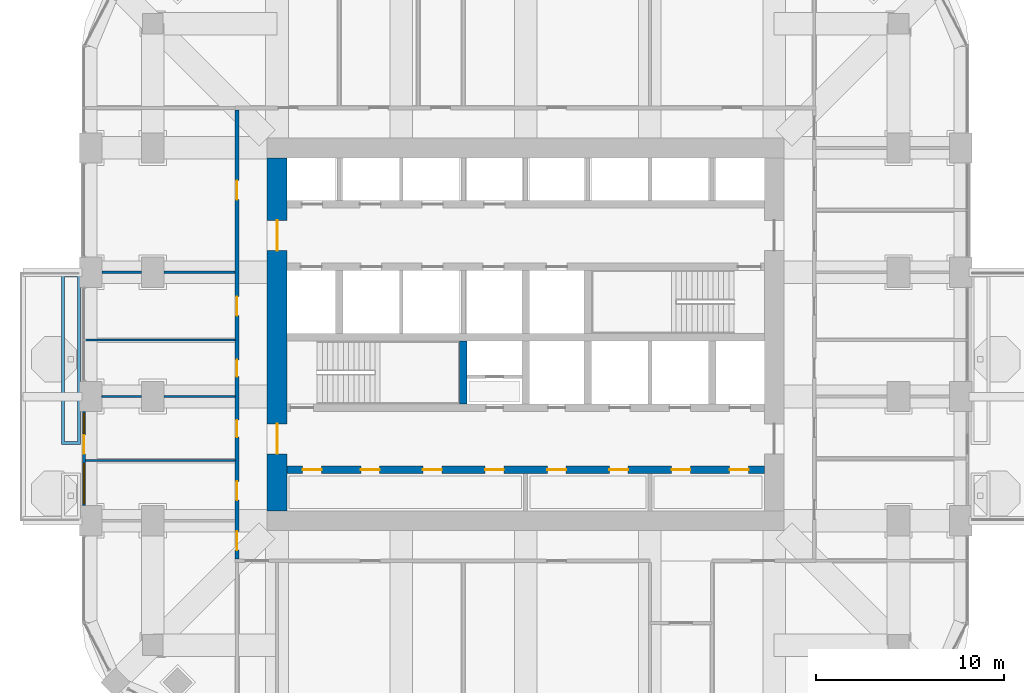
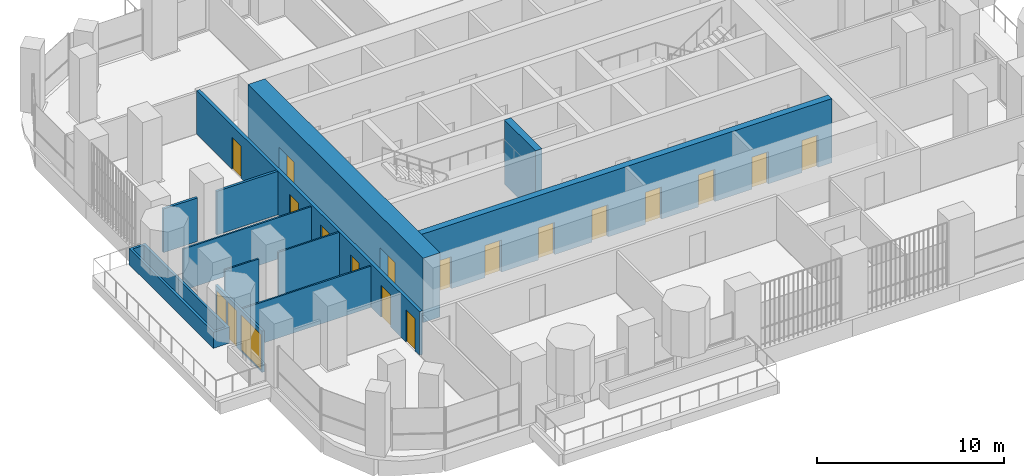
# One storey, part 12 of 20: 17 doors, 12 walls, 2 windows, 19 openings.
"""IFC4 building model written with IfcOpenShell, lengths in metres."""

from ifc_helpers import new_model, si_unit, direction, frame, frame_2d, origin, place, context, subcontext, project, spatial, polyline, rectangle, outline, extrude, material, layer, layer_set, type_object, element, fill, save


model = new_model("IFC4")

# Units and contexts
model_context = context("Model", 3, precision=1e-05, world=origin(), true_north=direction((0.0, 1.0)))
body_context = subcontext(model_context, "Body", "Model", "MODEL_VIEW")
ifc_project = project(units=[si_unit("LENGTHUNIT", "METRE"), si_unit("AREAUNIT", "SQUARE_METRE"), si_unit("VOLUMEUNIT", "CUBIC_METRE"), si_unit("PLANEANGLEUNIT", "RADIAN"), si_unit("MASSUNIT", "GRAM", prefix="KILO")], contexts=[model_context])

# Site, building, storey
site_placement = place(None, origin())
site = spatial("IfcSite", under=ifc_project, at=site_placement, CompositionType="ELEMENT")
building_placement = place(site_placement, origin())
building = spatial("IfcBuilding", under=site, at=building_placement, Name="Cobogo Forest Laboratory Tower", CompositionType="ELEMENT")
storey_placement = place(building_placement, frame((0.0, 0.0, 176.699951171875)))
storey = spatial("IfcBuildingStorey", under=building, at=storey_placement, Name="L40", CompositionType="ELEMENT", Elevation=176.699951171875)

# Wall, openings, doors
ifc_material_1 = material(Name="Concrete HA-50 (C50/60)", Category="concrete")
ifc_layer_1 = layer(ifc_material_1, 0.39990234375)
ifc_layer_set_1 = layer_set([ifc_layer_1], Name="CI400 core inner wall 400")
wall_type_1 = type_object("IfcWallType", Name="CI400 core inner wall 400", PredefinedType="SHEAR", material=ifc_layer_set_1)
wall_1_placement = place(storey_placement, frame((13.72509765625, 15.89990234375, 0.0), z_axis=(0.0, 0.0, 1.0), x_axis=(1.0, 0.0, 0.0)))
wall_1 = element("IfcWall", 1, at=wall_1_placement, inside=storey, type_object=wall_type_1, Name="Core wall CI-15.9 L40", PredefinedType="SHEAR", context=body_context, shape_type="SweptSolid", body=[
    extrude(rectangle(XDim=25.349853515625, YDim=0.39990234375, at=frame_2d((12.6748046875, 0.0))), origin(), (0.0, 0.0, 1.0), 4.199951171875),
])
opening_1_placement = place(wall_1_placement, frame((0.83740234375, 0.0, 0.0)))
opening_1 = element("IfcOpeningElement", 2, at=opening_1_placement, cuts=wall_1, Name="Opening L40-D10", PredefinedType="OPENING", context=body_context, shape_type="SweptSolid", body=[
    extrude(rectangle(XDim=1.0, YDim=2.10009765625, at=frame_2d((0.5, 1.050048828125))), frame((0.0, 0.2099609375, 0.0), z_axis=(0.0, -1.0, 0.0), x_axis=(1.0, 0.0, 0.0)), (0.0, 0.0, 1.0), 0.419921875),
])
opening_2_placement = place(wall_1_placement, frame((3.925048828125, 0.0, 0.0)))
opening_2 = element("IfcOpeningElement", 3, at=opening_2_placement, cuts=wall_1, Name="Opening L40-D11", PredefinedType="OPENING", context=body_context, shape_type="SweptSolid", body=[
    extrude(rectangle(XDim=1.0, YDim=2.10009765625, at=frame_2d((0.5, 1.050048828125))), frame((0.0, 0.2099609375, 0.0), z_axis=(0.0, -1.0, 0.0), x_axis=(1.0, 0.0, 0.0)), (0.0, 0.0, 1.0), 0.419921875),
])
opening_3_placement = place(wall_1_placement, frame((7.22509765625, 0.0, 0.0)))
opening_3 = element("IfcOpeningElement", 4, at=opening_3_placement, cuts=wall_1, Name="Opening L40-D12", PredefinedType="OPENING", context=body_context, shape_type="SweptSolid", body=[
    extrude(rectangle(XDim=1.0, YDim=2.10009765625, at=frame_2d((0.5, 1.050048828125))), frame((0.0, 0.2099609375, 0.0), z_axis=(0.0, -1.0, 0.0), x_axis=(1.0, 0.0, 0.0)), (0.0, 0.0, 1.0), 0.419921875),
])
opening_4_placement = place(wall_1_placement, frame((10.52490234375, 0.0, 0.0)))
opening_4 = element("IfcOpeningElement", 5, at=opening_4_placement, cuts=wall_1, Name="Opening L40-D13", PredefinedType="OPENING", context=body_context, shape_type="SweptSolid", body=[
    extrude(rectangle(XDim=1.0, YDim=2.10009765625, at=frame_2d((0.5, 1.050048828125))), frame((0.0, 0.2099609375, 0.0), z_axis=(0.0, -1.0, 0.0), x_axis=(1.0, 0.0, 0.0)), (0.0, 0.0, 1.0), 0.419921875),
])
opening_5_placement = place(wall_1_placement, frame((13.824951171875, 0.0, 0.0)))
opening_5 = element("IfcOpeningElement", 6, at=opening_5_placement, cuts=wall_1, Name="Opening L40-D14", PredefinedType="OPENING", context=body_context, shape_type="SweptSolid", body=[
    extrude(rectangle(XDim=1.0, YDim=2.10009765625, at=frame_2d((0.5, 1.050048828125))), frame((0.0, 0.2099609375, 0.0), z_axis=(0.0, -1.0, 0.0), x_axis=(1.0, 0.0, 0.0)), (0.0, 0.0, 1.0), 0.419921875),
])
opening_6_placement = place(wall_1_placement, frame((17.125, 0.0, 0.0)))
opening_6 = element("IfcOpeningElement", 7, at=opening_6_placement, cuts=wall_1, Name="Opening L40-D15", PredefinedType="OPENING", context=body_context, shape_type="SweptSolid", body=[
    extrude(rectangle(XDim=1.0, YDim=2.10009765625, at=frame_2d((0.5, 1.050048828125))), frame((0.0, 0.2099609375, 0.0), z_axis=(0.0, -1.0, 0.0), x_axis=(1.0, 0.0, 0.0)), (0.0, 0.0, 1.0), 0.419921875),
])
opening_7_placement = place(wall_1_placement, frame((20.425048828125, 0.0, 0.0)))
opening_7 = element("IfcOpeningElement", 8, at=opening_7_placement, cuts=wall_1, Name="Opening L40-D16", PredefinedType="OPENING", context=body_context, shape_type="SweptSolid", body=[
    extrude(rectangle(XDim=1.0, YDim=2.10009765625, at=frame_2d((0.5, 1.050048828125))), frame((0.0, 0.2099609375, 0.0), z_axis=(0.0, -1.0, 0.0), x_axis=(1.0, 0.0, 0.0)), (0.0, 0.0, 1.0), 0.419921875),
])
opening_8_placement = place(wall_1_placement, frame((23.512451171875, 0.0, 0.0)))
opening_8 = element("IfcOpeningElement", 9, at=opening_8_placement, cuts=wall_1, Name="Opening L40-D17", PredefinedType="OPENING", context=body_context, shape_type="SweptSolid", body=[
    extrude(rectangle(XDim=1.0, YDim=2.10009765625, at=frame_2d((0.5, 1.050048828125))), frame((0.0, 0.2099609375, 0.0), z_axis=(0.0, -1.0, 0.0), x_axis=(1.0, 0.0, 0.0)), (0.0, 0.0, 1.0), 0.419921875),
])
ifc_material_2 = material(Name="Steel fire door", Category="steel")
door_type_1 = type_object("IfcDoorType", Name="FD1 fire door 1000 EI2 60", OperationType="SINGLE_SWING_LEFT", PredefinedType="DOOR", material=ifc_material_2)
door_1_placement = place(opening_1_placement, origin())
door_1 = element("IfcDoor", 10, at=door_1_placement, inside=storey, type_object=door_type_1, Name="Door L40-SH-LA1", OperationType="SINGLE_SWING_LEFT", OverallHeight=2.10009765625, OverallWidth=1.0, PredefinedType="DOOR", context=body_context, shape_type="SweptSolid", body=[
    extrude(rectangle(XDim=1.0, YDim=2.10009765625, at=frame_2d((0.5, 1.050048828125))), frame((0.0, 0.02490234375, 0.0), z_axis=(0.0, -1.0, 0.0), x_axis=(1.0, 0.0, 0.0)), (0.0, 0.0, 1.0), 0.050048828125),
])
fill(opening_1, door_1)
door_2_placement = place(opening_2_placement, origin())
door_2 = element("IfcDoor", 11, at=door_2_placement, inside=storey, type_object=door_type_1, Name="Door L40-SH-LA2", OperationType="SINGLE_SWING_LEFT", OverallHeight=2.10009765625, OverallWidth=1.0, PredefinedType="DOOR", context=body_context, shape_type="SweptSolid", body=[
    extrude(rectangle(XDim=1.0, YDim=2.10009765625, at=frame_2d((0.5, 1.050048828125))), frame((0.0, 0.02490234375, 0.0), z_axis=(0.0, -1.0, 0.0), x_axis=(1.0, 0.0, 0.0)), (0.0, 0.0, 1.0), 0.050048828125),
])
fill(opening_2, door_2)
door_3_placement = place(opening_3_placement, origin())
door_3 = element("IfcDoor", 12, at=door_3_placement, inside=storey, type_object=door_type_1, Name="Door L40-SH-LA3", OperationType="SINGLE_SWING_LEFT", OverallHeight=2.10009765625, OverallWidth=1.0, PredefinedType="DOOR", context=body_context, shape_type="SweptSolid", body=[
    extrude(rectangle(XDim=1.0, YDim=2.10009765625, at=frame_2d((0.5, 1.050048828125))), frame((0.0, 0.02490234375, 0.0), z_axis=(0.0, -1.0, 0.0), x_axis=(1.0, 0.0, 0.0)), (0.0, 0.0, 1.0), 0.050048828125),
])
fill(opening_3, door_3)
door_4_placement = place(opening_4_placement, origin())
door_4 = element("IfcDoor", 13, at=door_4_placement, inside=storey, type_object=door_type_1, Name="Door L40-SH-LA4", OperationType="SINGLE_SWING_LEFT", OverallHeight=2.10009765625, OverallWidth=1.0, PredefinedType="DOOR", context=body_context, shape_type="SweptSolid", body=[
    extrude(rectangle(XDim=1.0, YDim=2.10009765625, at=frame_2d((0.5, 1.050048828125))), frame((0.0, 0.02490234375, 0.0), z_axis=(0.0, -1.0, 0.0), x_axis=(1.0, 0.0, 0.0)), (0.0, 0.0, 1.0), 0.050048828125),
])
fill(opening_4, door_4)
door_5_placement = place(opening_5_placement, origin())
door_5 = element("IfcDoor", 14, at=door_5_placement, inside=storey, type_object=door_type_1, Name="Door L40-SH-LB1", OperationType="SINGLE_SWING_RIGHT", OverallHeight=2.10009765625, OverallWidth=1.0, PredefinedType="DOOR", context=body_context, shape_type="SweptSolid", body=[
    extrude(rectangle(XDim=1.0, YDim=2.10009765625, at=frame_2d((0.5, 1.050048828125))), frame((0.0, 0.02490234375, 0.0), z_axis=(0.0, -1.0, 0.0), x_axis=(1.0, 0.0, 0.0)), (0.0, 0.0, 1.0), 0.050048828125),
])
fill(opening_5, door_5)
door_6_placement = place(opening_6_placement, origin())
door_6 = element("IfcDoor", 15, at=door_6_placement, inside=storey, type_object=door_type_1, Name="Door L40-SH-LB2", OperationType="SINGLE_SWING_RIGHT", OverallHeight=2.10009765625, OverallWidth=1.0, PredefinedType="DOOR", context=body_context, shape_type="SweptSolid", body=[
    extrude(rectangle(XDim=1.0, YDim=2.10009765625, at=frame_2d((0.5, 1.050048828125))), frame((0.0, 0.02490234375, 0.0), z_axis=(0.0, -1.0, 0.0), x_axis=(1.0, 0.0, 0.0)), (0.0, 0.0, 1.0), 0.050048828125),
])
fill(opening_6, door_6)
door_7_placement = place(opening_7_placement, origin())
door_7 = element("IfcDoor", 16, at=door_7_placement, inside=storey, type_object=door_type_1, Name="Door L40-SH-LB3", OperationType="SINGLE_SWING_RIGHT", OverallHeight=2.10009765625, OverallWidth=1.0, PredefinedType="DOOR", context=body_context, shape_type="SweptSolid", body=[
    extrude(rectangle(XDim=1.0, YDim=2.10009765625, at=frame_2d((0.5, 1.050048828125))), frame((0.0, 0.02490234375, 0.0), z_axis=(0.0, -1.0, 0.0), x_axis=(1.0, 0.0, 0.0)), (0.0, 0.0, 1.0), 0.050048828125),
])
fill(opening_7, door_7)
door_8_placement = place(opening_8_placement, origin())
door_8 = element("IfcDoor", 17, at=door_8_placement, inside=storey, type_object=door_type_1, Name="Door L40-SH-LB4", OperationType="SINGLE_SWING_RIGHT", OverallHeight=2.10009765625, OverallWidth=1.0, PredefinedType="DOOR", context=body_context, shape_type="SweptSolid", body=[
    extrude(rectangle(XDim=1.0, YDim=2.10009765625, at=frame_2d((0.5, 1.050048828125))), frame((0.0, 0.02490234375, 0.0), z_axis=(0.0, -1.0, 0.0), x_axis=(1.0, 0.0, 0.0)), (0.0, 0.0, 1.0), 0.050048828125),
])
fill(opening_8, door_8)

# Wall
wall_2_placement = place(storey_placement, frame((23.10009765625, 19.39990234375, 0.0), z_axis=(0.0, 0.0, 1.0), x_axis=(0.0, 1.0, 0.0)))
element("IfcWall", 18, at=wall_2_placement, inside=storey, type_object=wall_type_1, Name="Core wall CX-23.1 L40", PredefinedType="SHEAR", context=body_context, shape_type="SweptSolid", body=[
    extrude(rectangle(XDim=3.35009765625, YDim=0.39990234375, at=frame_2d((1.675048828125, 0.0))), origin(), (0.0, 0.0, 1.0), 4.199951171875),
])

# Wall, openings, doors
ifc_layer_2 = layer(ifc_material_1, 1.050048828125)
ifc_layer_set_2 = layer_set([ifc_layer_2], Name="CW1050 core outer wall 1050")
wall_type_2 = type_object("IfcWallType", Name="CW1050 core outer wall 1050", PredefinedType="SHEAR", material=ifc_layer_set_2)
wall_3_placement = place(storey_placement, frame((13.199951171875, 32.47509765625, 0.0), z_axis=(0.0, 0.0, 1.0), x_axis=(0.0, -1.0, 0.0)))
wall_3 = element("IfcWall", 19, at=wall_3_placement, inside=storey, type_object=wall_type_2, Name="Core wall CO-W L40", PredefinedType="SHEAR", context=body_context, shape_type="SweptSolid", body=[
    extrude(rectangle(XDim=18.75, YDim=1.050048828125, at=frame_2d((9.375, 0.0))), origin(), (0.0, 0.0, 1.0), 4.199951171875),
])
opening_9_placement = place(wall_3_placement, frame((14.125, 0.0, 0.0)))
opening_9 = element("IfcOpeningElement", 20, at=opening_9_placement, cuts=wall_3, Name="Opening L40-D20", PredefinedType="OPENING", context=body_context, shape_type="SweptSolid", body=[
    extrude(rectangle(XDim=1.60009765625, YDim=2.10009765625, at=frame_2d((0.800048828125, 1.050048828125))), frame((0.0, 0.534912109375, 0.0), z_axis=(0.0, -1.0, 0.0), x_axis=(1.0, 0.0, 0.0)), (0.0, 0.0, 1.0), 1.070068359375),
])
opening_10_placement = place(wall_3_placement, frame((3.324951171875, 0.0, 0.0)))
opening_10 = element("IfcOpeningElement", 21, at=opening_10_placement, cuts=wall_3, Name="Opening L40-D34", PredefinedType="OPENING", context=body_context, shape_type="SweptSolid", body=[
    extrude(rectangle(XDim=1.60009765625, YDim=2.10009765625, at=frame_2d((0.800048828125, 1.050048828125))), frame((0.0, 0.534912109375, 0.0), z_axis=(0.0, -1.0, 0.0), x_axis=(1.0, 0.0, 0.0)), (0.0, 0.0, 1.0), 1.070068359375),
])
door_type_2 = type_object("IfcDoorType", Name="DS2 protected lobby door pair 1600 EI2 60", OperationType="DOUBLE_DOOR_DOUBLE_SWING", PredefinedType="DOOR", material=ifc_material_2)
door_9_placement = place(opening_9_placement, origin())
door_9 = element("IfcDoor", 22, at=door_9_placement, inside=storey, type_object=door_type_2, Name="Door L40-CO-W-S", OperationType="DOUBLE_DOOR_DOUBLE_SWING", OverallHeight=2.10009765625, OverallWidth=1.60009765625, PredefinedType="DOOR", context=body_context, shape_type="SweptSolid", body=[
    extrude(rectangle(XDim=1.60009765625, YDim=2.10009765625, at=frame_2d((0.800048828125, 1.050048828125))), frame((0.0, 0.02490234375, 0.0), z_axis=(0.0, -1.0, 0.0), x_axis=(1.0, 0.0, 0.0)), (0.0, 0.0, 1.0), 0.050048828125),
])
fill(opening_9, door_9)
door_10_placement = place(opening_10_placement, origin())
door_10 = element("IfcDoor", 23, at=door_10_placement, inside=storey, type_object=door_type_2, Name="Door L40-CO-W-N", OperationType="DOUBLE_DOOR_DOUBLE_SWING", OverallHeight=2.10009765625, OverallWidth=1.60009765625, PredefinedType="DOOR", context=body_context, shape_type="SweptSolid", body=[
    extrude(rectangle(XDim=1.60009765625, YDim=2.10009765625, at=frame_2d((0.800048828125, 1.050048828125))), frame((0.0, 0.02490234375, 0.0), z_axis=(0.0, -1.0, 0.0), x_axis=(1.0, 0.0, 0.0)), (0.0, 0.0, 1.0), 0.050048828125),
])
fill(opening_10, door_10)

# Wall, openings, door, windows
ifc_material_3 = material(Name="Aluminium framed glazed screen", Category="aluminium")
ifc_layer_3 = layer(ifc_material_3, 0.14990234375)
ifc_layer_set_3 = layer_set([ifc_layer_3], Name="GS1 glazed door screen 150")
wall_type_3 = type_object("IfcWallType", Name="GS1 glazed door screen 150", PredefinedType="SOLIDWALL", material=ifc_layer_set_3)
wall_4_placement = place(storey_placement, frame((2.949951171875, 19.0, 0.0), z_axis=(0.0, 0.0, 1.0), x_axis=(0.0, -1.0, 0.0)))
wall_4 = element("IfcWall", 24, at=wall_4_placement, inside=storey, type_object=wall_type_3, Name="Door screen BAL-W1 L40", PredefinedType="SOLIDWALL", context=body_context, shape_type="SweptSolid", body=[
    extrude(rectangle(XDim=5.0, YDim=0.14990234375, at=frame_2d((2.5, 0.0))), origin(), (0.0, 0.0, 1.0), 2.699951171875),
])
opening_11_placement = place(wall_4_placement, frame((1.25, 0.0, 0.0)))
opening_11 = element("IfcOpeningElement", 25, at=opening_11_placement, cuts=wall_4, Name="Opening L40-D18", PredefinedType="OPENING", context=body_context, shape_type="SweptSolid", body=[
    extrude(rectangle(XDim=1.0, YDim=2.39990234375, at=frame_2d((0.5, 1.199951171875))), frame((0.0, 0.0849609375, 0.0), z_axis=(0.0, -1.0, 0.0), x_axis=(1.0, 0.0, 0.0)), (0.0, 0.0, 1.0), 0.169921875),
])
opening_12_placement = place(wall_4_placement, frame((0.10009765625, 0.0, 0.10009765625)))
opening_12 = element("IfcOpeningElement", 26, at=opening_12_placement, cuts=wall_4, Name="Opening L40-W05", PredefinedType="OPENING", context=body_context, shape_type="SweptSolid", body=[
    extrude(rectangle(XDim=1.050048828125, YDim=2.300048828125, at=frame_2d((0.52490234375, 1.14990234375))), frame((0.0, 0.0849609375, 0.0), z_axis=(0.0, -1.0, 0.0), x_axis=(1.0, 0.0, 0.0)), (0.0, 0.0, 1.0), 0.169921875),
])
opening_13_placement = place(wall_4_placement, frame((2.75, 0.0, 0.10009765625)))
opening_13 = element("IfcOpeningElement", 27, at=opening_13_placement, cuts=wall_4, Name="Opening L40-W03", PredefinedType="OPENING", context=body_context, shape_type="SweptSolid", body=[
    extrude(rectangle(XDim=2.14990234375, YDim=2.300048828125, at=frame_2d((1.074951171875, 1.14990234375))), frame((0.0, 0.0849609375, 0.0), z_axis=(0.0, -1.0, 0.0), x_axis=(1.0, 0.0, 0.0)), (0.0, 0.0, 1.0), 0.169921875),
])
ifc_material_4 = material(Name="Aluminium glazed door", Category="aluminium")
door_type_3 = type_object("IfcDoorType", Name="DB1 balcony door 1000 glazed", OperationType="SINGLE_SWING_LEFT", PredefinedType="DOOR", material=ifc_material_4)
door_11_placement = place(opening_11_placement, origin())
door_11 = element("IfcDoor", 28, at=door_11_placement, inside=storey, type_object=door_type_3, Name="Door L40-BAL-W1", OperationType="SINGLE_SWING_LEFT", OverallHeight=2.39990234375, OverallWidth=1.0, PredefinedType="DOOR", context=body_context, shape_type="SweptSolid", body=[
    extrude(rectangle(XDim=1.0, YDim=2.39990234375, at=frame_2d((0.5, 1.199951171875))), frame((0.0, 0.02490234375, 0.0), z_axis=(0.0, -1.0, 0.0), x_axis=(1.0, 0.0, 0.0)), (0.0, 0.0, 1.0), 0.050048828125),
])
fill(opening_11, door_11)
ifc_material_5 = material(Name="Aluminium framed glazing", Category="aluminium")
window_type_1 = type_object("IfcWindowType", Name="WG13 fixed glazed light 2150x2300", PartitioningType="SINGLE_PANEL", PredefinedType="WINDOW", material=ifc_material_5)
window_1_placement = place(opening_13_placement, origin())
window_1 = element("IfcWindow", 29, at=window_1_placement, inside=storey, type_object=window_type_1, Name="Window L40-BAL-W1-2", OverallHeight=2.300048828125, OverallWidth=2.14990234375, PartitioningType="SINGLE_PANEL", PredefinedType="WINDOW", context=body_context, shape_type="SweptSolid", body=[
    extrude(rectangle(XDim=2.14990234375, YDim=2.300048828125, at=frame_2d((1.074951171875, 1.14990234375))), frame((0.0, 0.030029296875, 0.0), z_axis=(0.0, -1.0, 0.0), x_axis=(1.0, 0.0, 0.0)), (0.0, 0.0, 1.0), 0.06005859375),
])
fill(opening_13, window_1)
window_type_2 = type_object("IfcWindowType", Name="WG14 fixed glazed light 1050x2300", PartitioningType="SINGLE_PANEL", PredefinedType="WINDOW", material=ifc_material_5)
window_2_placement = place(opening_12_placement, origin())
window_2 = element("IfcWindow", 30, at=window_2_placement, inside=storey, type_object=window_type_2, Name="Window L40-BAL-W1-1", OverallHeight=2.300048828125, OverallWidth=1.050048828125, PartitioningType="SINGLE_PANEL", PredefinedType="WINDOW", context=body_context, shape_type="SweptSolid", body=[
    extrude(rectangle(XDim=1.050048828125, YDim=2.300048828125, at=frame_2d((0.52490234375, 1.14990234375))), frame((0.0, 0.030029296875, 0.0), z_axis=(0.0, -1.0, 0.0), x_axis=(1.0, 0.0, 0.0)), (0.0, 0.0, 1.0), 0.06005859375),
])
fill(opening_12, window_2)

# Walls
ifc_material_6 = material(Name="Gypsum board on steel studs", Category="steel")
ifc_layer_4 = layer(ifc_material_6, 0.14990234375)
ifc_layer_set_4 = layer_set([ifc_layer_4], Name="PT1 laboratory partition 150")
wall_type_4 = type_object("IfcWallType", Name="PT1 laboratory partition 150", PredefinedType="PARTITIONING", material=ifc_layer_set_4)
wall_5_placement = place(storey_placement, frame((3.89990234375, 26.39990234375, 0.0), z_axis=(0.0, 0.0, 1.0), x_axis=(1.0, 0.0, 0.0)))
element("IfcWall", 31, at=wall_5_placement, inside=storey, type_object=wall_type_4, Name="Partition CUT-W26.4-1 L40", PredefinedType="PARTITIONING", context=body_context, shape_type="SweptSolid", body=[
    extrude(rectangle(XDim=2.10009765625, YDim=0.14990234375, at=frame_2d((1.050048828125, 0.0))), origin(), (0.0, 0.0, 1.0), 2.85009765625),
])
wall_6_placement = place(storey_placement, frame((7.199951171875, 26.39990234375, 0.0), z_axis=(0.0, 0.0, 1.0), x_axis=(1.0, 0.0, 0.0)))
element("IfcWall", 32, at=wall_6_placement, inside=storey, type_object=wall_type_4, Name="Partition CUT-W26.4-2 L40", PredefinedType="PARTITIONING", context=body_context, shape_type="SweptSolid", body=[
    extrude(rectangle(XDim=3.775146484375, YDim=0.14990234375, at=frame_2d((1.8876953125, 0.0))), origin(), (0.0, 0.0, 1.0), 2.85009765625),
])

# Wall, openings, doors
ifc_layer_5 = layer(ifc_material_6, 0.199951171875)
ifc_layer_set_5 = layer_set([ifc_layer_5], Name="PT2 fire-rated corridor partition 200")
wall_type_5 = type_object("IfcWallType", Name="PT2 fire-rated corridor partition 200", PredefinedType="PARTITIONING", material=ifc_layer_set_5)
wall_7_placement = place(storey_placement, frame((11.074951171875, 11.175048828125, 0.0), z_axis=(0.0, 0.0, 1.0), x_axis=(0.0, 1.0, 0.0)))
wall_7 = element("IfcWall", 33, at=wall_7_placement, inside=storey, type_object=wall_type_5, Name="Partition CORR-W L40", PredefinedType="PARTITIONING", context=body_context, shape_type="SweptSolid", body=[
    extrude(rectangle(XDim=23.849853515625, YDim=0.199951171875, at=frame_2d((11.9248046875, 0.0))), origin(), (0.0, 0.0, 1.0), 2.85009765625),
])
opening_14_placement = place(wall_7_placement, frame((0.46240234375, 0.0, 0.0)))
opening_14 = element("IfcOpeningElement", 34, at=opening_14_placement, cuts=wall_7, Name="Opening L40-D07", PredefinedType="OPENING", context=body_context, shape_type="SweptSolid", body=[
    extrude(rectangle(XDim=1.0, YDim=2.10009765625, at=frame_2d((0.5, 1.050048828125))), frame((0.0, 0.10986328125, 0.0), z_axis=(0.0, -1.0, 0.0), x_axis=(1.0, 0.0, 0.0)), (0.0, 0.0, 1.0), 0.219970703125),
])
opening_15_placement = place(wall_7_placement, frame((3.125, 0.0, 0.0)))
opening_15 = element("IfcOpeningElement", 35, at=opening_15_placement, cuts=wall_7, Name="Opening L40-D09", PredefinedType="OPENING", context=body_context, shape_type="SweptSolid", body=[
    extrude(rectangle(XDim=1.0, YDim=2.10009765625, at=frame_2d((0.5, 1.050048828125))), frame((0.0, 0.10986328125, 0.0), z_axis=(0.0, -1.0, 0.0), x_axis=(1.0, 0.0, 0.0)), (0.0, 0.0, 1.0), 0.219970703125),
])
opening_16_placement = place(wall_7_placement, frame((6.47509765625, 0.0, 0.0)))
opening_16 = element("IfcOpeningElement", 36, at=opening_16_placement, cuts=wall_7, Name="Opening L40-D22", PredefinedType="OPENING", context=body_context, shape_type="SweptSolid", body=[
    extrude(rectangle(XDim=0.89990234375, YDim=2.10009765625, at=frame_2d((0.449951171875, 1.050048828125))), frame((0.0, 0.10986328125, 0.0), z_axis=(0.0, -1.0, 0.0), x_axis=(1.0, 0.0, 0.0)), (0.0, 0.0, 1.0), 0.219970703125),
])
opening_17_placement = place(wall_7_placement, frame((9.675048828125, 0.0, 0.0)))
opening_17 = element("IfcOpeningElement", 37, at=opening_17_placement, cuts=wall_7, Name="Opening L40-D28", PredefinedType="OPENING", context=body_context, shape_type="SweptSolid", body=[
    extrude(rectangle(XDim=0.89990234375, YDim=2.10009765625, at=frame_2d((0.449951171875, 1.050048828125))), frame((0.0, 0.10986328125, 0.0), z_axis=(0.0, -1.0, 0.0), x_axis=(1.0, 0.0, 0.0)), (0.0, 0.0, 1.0), 0.219970703125),
])
opening_18_placement = place(wall_7_placement, frame((12.925048828125, 0.0, 0.0)))
opening_18 = element("IfcOpeningElement", 38, at=opening_18_placement, cuts=wall_7, Name="Opening L40-D30", PredefinedType="OPENING", context=body_context, shape_type="SweptSolid", body=[
    extrude(rectangle(XDim=1.0, YDim=2.10009765625, at=frame_2d((0.5, 1.050048828125))), frame((0.0, 0.10986328125, 0.0), z_axis=(0.0, -1.0, 0.0), x_axis=(1.0, 0.0, 0.0)), (0.0, 0.0, 1.0), 0.219970703125),
])
opening_19_placement = place(wall_7_placement, frame((19.08740234375, 0.0, 0.0)))
opening_19 = element("IfcOpeningElement", 39, at=opening_19_placement, cuts=wall_7, Name="Opening L40-D36", PredefinedType="OPENING", context=body_context, shape_type="SweptSolid", body=[
    extrude(rectangle(XDim=1.0, YDim=2.10009765625, at=frame_2d((0.5, 1.050048828125))), frame((0.0, 0.10986328125, 0.0), z_axis=(0.0, -1.0, 0.0), x_axis=(1.0, 0.0, 0.0)), (0.0, 0.0, 1.0), 0.219970703125),
])
ifc_material_7 = material(Name="Timber fire door", Category="wood")
door_type_4 = type_object("IfcDoorType", Name="FD2 fire door 1000 EI2 30", OperationType="SINGLE_SWING_LEFT", PredefinedType="DOOR", material=ifc_material_7)
door_12_placement = place(opening_14_placement, origin())
door_12 = element("IfcDoor", 40, at=door_12_placement, inside=storey, type_object=door_type_4, Name="Door L40-W1", OperationType="SINGLE_SWING_LEFT", OverallHeight=2.10009765625, OverallWidth=1.0, PredefinedType="DOOR", context=body_context, shape_type="SweptSolid", body=[
    extrude(rectangle(XDim=1.0, YDim=2.10009765625, at=frame_2d((0.5, 1.050048828125))), frame((0.0, 0.02490234375, 0.0), z_axis=(0.0, -1.0, 0.0), x_axis=(1.0, 0.0, 0.0)), (0.0, 0.0, 1.0), 0.050048828125),
])
fill(opening_14, door_12)
door_13_placement = place(opening_18_placement, origin())
door_13 = element("IfcDoor", 41, at=door_13_placement, inside=storey, type_object=door_type_4, Name="Door L40-SHW", OperationType="SINGLE_SWING_RIGHT", OverallHeight=2.10009765625, OverallWidth=1.0, PredefinedType="DOOR", context=body_context, shape_type="SweptSolid", body=[
    extrude(rectangle(XDim=1.0, YDim=2.10009765625, at=frame_2d((0.5, 1.050048828125))), frame((0.0, 0.02490234375, 0.0), z_axis=(0.0, -1.0, 0.0), x_axis=(1.0, 0.0, 0.0)), (0.0, 0.0, 1.0), 0.050048828125),
])
fill(opening_18, door_13)
door_14_placement = place(opening_19_placement, origin())
door_14 = element("IfcDoor", 42, at=door_14_placement, inside=storey, type_object=door_type_4, Name="Door L40-W3", OperationType="SINGLE_SWING_RIGHT", OverallHeight=2.10009765625, OverallWidth=1.0, PredefinedType="DOOR", context=body_context, shape_type="SweptSolid", body=[
    extrude(rectangle(XDim=1.0, YDim=2.10009765625, at=frame_2d((0.5, 1.050048828125))), frame((0.0, 0.02490234375, 0.0), z_axis=(0.0, -1.0, 0.0), x_axis=(1.0, 0.0, 0.0)), (0.0, 0.0, 1.0), 0.050048828125),
])
fill(opening_19, door_14)
door_type_5 = type_object("IfcDoorType", Name="FD3 toilet fire door 900 EI2 30", OperationType="SINGLE_SWING_LEFT", PredefinedType="DOOR", material=ifc_material_7)
door_15_placement = place(opening_16_placement, origin())
door_15 = element("IfcDoor", 43, at=door_15_placement, inside=storey, type_object=door_type_5, Name="Door L40-WCF", OperationType="SINGLE_SWING_LEFT", OverallHeight=2.10009765625, OverallWidth=0.89990234375, PredefinedType="DOOR", context=body_context, shape_type="SweptSolid", body=[
    extrude(rectangle(XDim=0.89990234375, YDim=2.10009765625, at=frame_2d((0.449951171875, 1.050048828125))), frame((0.0, 0.02490234375, 0.0), z_axis=(0.0, -1.0, 0.0), x_axis=(1.0, 0.0, 0.0)), (0.0, 0.0, 1.0), 0.050048828125),
])
fill(opening_16, door_15)
door_16_placement = place(opening_17_placement, origin())
door_16 = element("IfcDoor", 44, at=door_16_placement, inside=storey, type_object=door_type_5, Name="Door L40-WCM", OperationType="SINGLE_SWING_LEFT", OverallHeight=2.10009765625, OverallWidth=0.89990234375, PredefinedType="DOOR", context=body_context, shape_type="SweptSolid", body=[
    extrude(rectangle(XDim=0.89990234375, YDim=2.10009765625, at=frame_2d((0.449951171875, 1.050048828125))), frame((0.0, 0.02490234375, 0.0), z_axis=(0.0, -1.0, 0.0), x_axis=(1.0, 0.0, 0.0)), (0.0, 0.0, 1.0), 0.050048828125),
])
fill(opening_17, door_16)
door_type_6 = type_object("IfcDoorType", Name="FDA1 accessible toilet fire door 1000 EI2 30", OperationType="SINGLE_SWING_RIGHT", PredefinedType="DOOR", material=ifc_material_7)
door_17_placement = place(opening_15_placement, origin())
door_17 = element("IfcDoor", 45, at=door_17_placement, inside=storey, type_object=door_type_6, Name="Door L40-WCA", OperationType="SINGLE_SWING_LEFT", OverallHeight=2.10009765625, OverallWidth=1.0, PredefinedType="DOOR", context=body_context, shape_type="SweptSolid", body=[
    extrude(rectangle(XDim=1.0, YDim=2.10009765625, at=frame_2d((0.5, 1.050048828125))), frame((0.0, 0.02490234375, 0.0), z_axis=(0.0, -1.0, 0.0), x_axis=(1.0, 0.0, 0.0)), (0.0, 0.0, 1.0), 0.050048828125),
])
fill(opening_15, door_17)

# Walls
ifc_layer_6 = layer(ifc_material_6, 0.10009765625)
ifc_layer_set_6 = layer_set([ifc_layer_6], Name="PT3 toilet partition 100")
wall_type_6 = type_object("IfcWallType", Name="PT3 toilet partition 100", PredefinedType="PARTITIONING", material=ifc_layer_set_6)
wall_8_placement = place(storey_placement, frame((3.030029296875, 16.39990234375, 0.0), z_axis=(0.0, 0.0, 1.0), x_axis=(1.0, 0.0, 0.0)))
element("IfcWall", 46, at=wall_8_placement, inside=storey, type_object=wall_type_6, Name="Partition SVC-W1-1 L40", PredefinedType="PARTITIONING", context=body_context, shape_type="SweptSolid", body=[
    extrude(rectangle(XDim=7.945068359375, YDim=0.10009765625, at=frame_2d((3.97265625, 0.0))), origin(), (0.0, 0.0, 1.0), 2.699951171875),
])
wall_9_placement = place(storey_placement, frame((3.89990234375, 19.800048828125, 0.0), z_axis=(0.0, 0.0, 1.0), x_axis=(1.0, 0.0, 0.0)))
element("IfcWall", 47, at=wall_9_placement, inside=storey, type_object=wall_type_6, Name="Partition SVC-W2-1 L40", PredefinedType="PARTITIONING", context=body_context, shape_type="SweptSolid", body=[
    extrude(rectangle(XDim=2.10009765625, YDim=0.10009765625, at=frame_2d((1.050048828125, 0.0))), origin(), (0.0, 0.0, 1.0), 2.85009765625),
])
wall_10_placement = place(storey_placement, frame((7.199951171875, 19.800048828125, 0.0), z_axis=(0.0, 0.0, 1.0), x_axis=(1.0, 0.0, 0.0)))
element("IfcWall", 48, at=wall_10_placement, inside=storey, type_object=wall_type_6, Name="Partition SVC-W2-2 L40", PredefinedType="PARTITIONING", context=body_context, shape_type="SweptSolid", body=[
    extrude(rectangle(XDim=3.775146484375, YDim=0.10009765625, at=frame_2d((1.8876953125, 0.0))), origin(), (0.0, 0.0, 1.0), 2.85009765625),
])
wall_11_placement = place(storey_placement, frame((3.030029296875, 22.800048828125, 0.0), z_axis=(0.0, 0.0, 1.0), x_axis=(1.0, 0.0, 0.0)))
element("IfcWall", 49, at=wall_11_placement, inside=storey, type_object=wall_type_6, Name="Partition SVC-W3-1 L40", PredefinedType="PARTITIONING", context=body_context, shape_type="SweptSolid", body=[
    extrude(rectangle(XDim=7.945068359375, YDim=0.10009765625, at=frame_2d((3.97265625, 0.0))), origin(), (0.0, 0.0, 1.0), 2.699951171875),
])
ifc_material_8 = material(Name="Concrete HA-40 (C40/50)", Category="concrete")
ifc_layer_7 = layer(ifc_material_8, 0.14990234375)
ifc_layer_set_7 = layer_set([ifc_layer_7], Name="Planter box 1000x1050")
wall_type_7 = type_object("IfcWallType", Name="Planter box 1000x1050", PredefinedType="USERDEFINED", material=ifc_layer_set_7)
wall_12_placement = place(storey_placement, origin())
element("IfcWall", 50, at=wall_12_placement, inside=storey, type_object=wall_type_7, Name="Planter BAL-W1-2 L40", ObjectType="PLANTER", PredefinedType="USERDEFINED", context=body_context, shape_type="SweptSolid", body=[
    extrude(outline(polyline([(1.75, 17.25), (2.75, 17.25), (2.75, 26.300048828125), (1.75, 26.300048828125), (1.75, 17.25)]), holes=[polyline([(1.89990234375, 17.39990234375), (2.60009765625, 17.39990234375), (2.60009765625, 26.14990234375), (1.89990234375, 26.14990234375), (1.89990234375, 17.39990234375)])]), origin(), (0.0, 0.0, 1.0), 1.050048828125),
])

save(model, "model.ifc")
